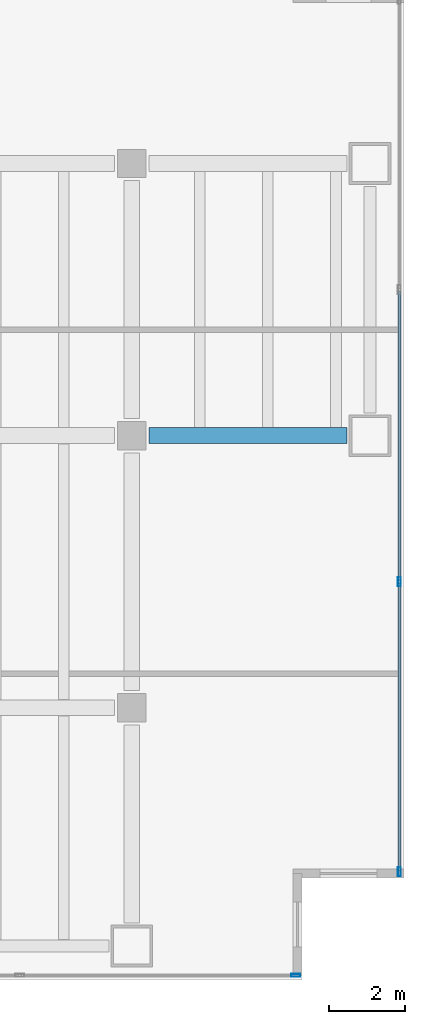
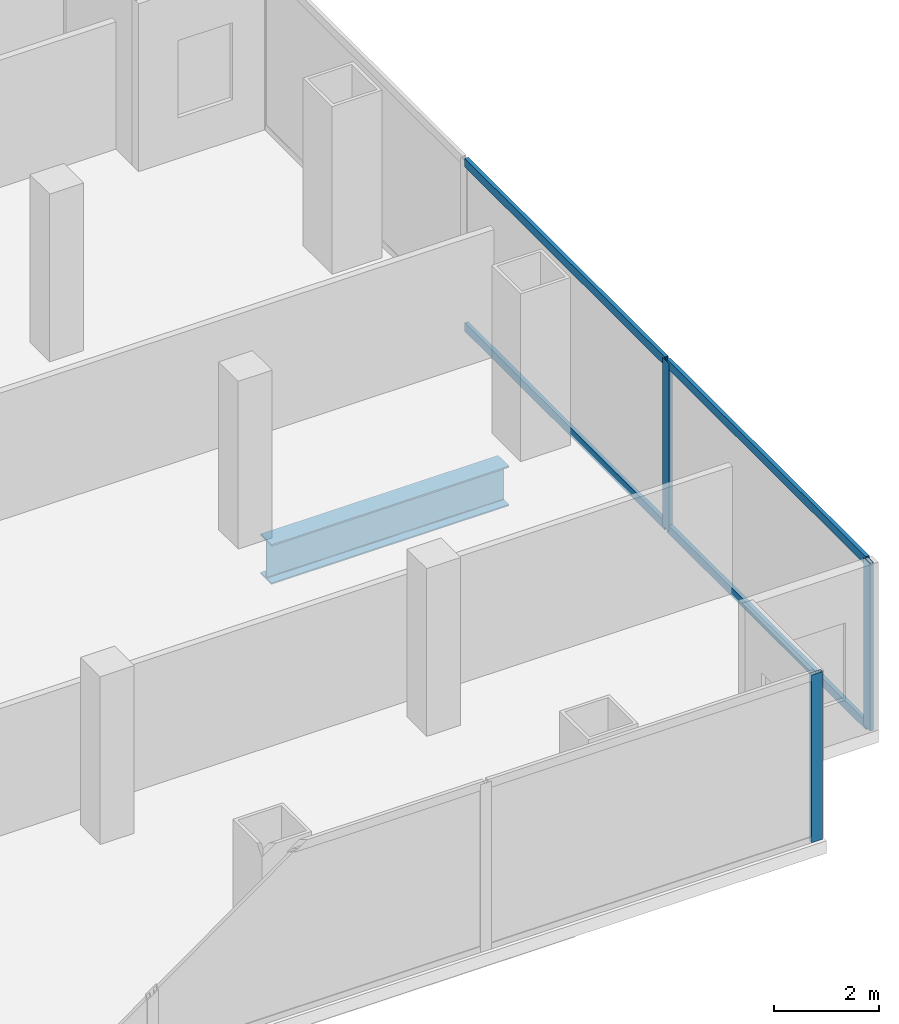
# One storey, part 18 of 28: 7 members, 1 beam, 2 elements without a shape of their own.
"""IFC4 building model written with IfcOpenShell, lengths in metres."""

from ifc_helpers import new_model, si_unit, direction, frame, origin, origin_2d, place, context, subcontext, project, spatial, hollow_rectangle, i_section, extrude, material, material_profile, profile_set, type_object, element, aggregate, save


model = new_model("IFC4")

# Units and contexts
model_context = context("Model", 3, precision=1e-05, world=origin(), true_north=direction((0.0, 1.0)))
body_context = subcontext(model_context, "Body", "Model", "MODEL_VIEW")
ifc_project = project(units=[si_unit("LENGTHUNIT", "METRE"), si_unit("AREAUNIT", "SQUARE_METRE"), si_unit("VOLUMEUNIT", "CUBIC_METRE"), si_unit("PLANEANGLEUNIT", "RADIAN"), si_unit("MASSUNIT", "GRAM", prefix="KILO")], contexts=[model_context])

# Site, building, storey
site_placement = place(None, origin())
site = spatial("IfcSite", under=ifc_project, at=site_placement, CompositionType="ELEMENT")
building_placement = place(site_placement, origin())
building = spatial("IfcBuilding", under=site, at=building_placement, Name="Cobrela Telecom Tower", CompositionType="ELEMENT")
storey_placement = place(building_placement, frame((0.0, 0.0, 17.85009765625)))
storey = spatial("IfcBuildingStorey", under=building, at=storey_placement, Name="L04", CompositionType="ELEMENT", Elevation=17.85009765625)

# Beam
ifc_material_1 = material(Name="Steel ASTM A992 Grade 50", Category="steel")
ifc_material_profile_1 = material_profile(ifc_material_1, i_section(OverallWidth=0.4189453125, OverallDepth=0.927001953125, WebThickness=0.019287109375, FlangeThickness=0.031982421875, FilletRadius=0.02392578125, at=origin_2d()), Name="W36X231")
ifc_profile_set_1 = profile_set([ifc_material_profile_1], Name="Steel ASTM A992 Grade 50")
beam_type = type_object("IfcBeamType", Name="BM-GIRD-02", PredefinedType="USERDEFINED", material=ifc_profile_set_1)
beam_placement = place(storey_placement, frame((79.655029296875, 14.39990234375, -0.753662109375), z_axis=(1.0, 0.0, 0.0), x_axis=(0.0, 1.0, 0.0)))
element("IfcBeam", 1, at=beam_placement, inside=storey, type_object=beam_type, Name="L04 Primary Girder X28", ObjectType="GIRDER", PredefinedType="USERDEFINED", context=body_context, shape_type="SweptSolid", body=[
    extrude(i_section(OverallWidth=0.4189453125, OverallDepth=0.927001953125, WebThickness=0.019287109375, FlangeThickness=0.031982421875, FilletRadius=0.02392578125, at=origin_2d()), origin(), (0.0, 0.0, 1.0), 5.239990234375),
])

# Curtain wall, members
ifc_material_2 = material(Name="Anodized Bronze Aluminium 6063-T6", Category="aluminium")
curtain_wall_type = type_object("IfcCurtainWallType", Name="CW-SYS-CONC", PredefinedType="USERDEFINED", material=ifc_material_2)
curtain_wall_1_placement = place(storey_placement, origin())
curtain_wall_1 = element("IfcCurtainWall", 2, at=curtain_wall_1_placement, inside=storey, type_object=curtain_wall_type, Name="L04 Unitised Bronze Curtain Wall 14", ObjectType="UNITISED CURTAIN WALL", PredefinedType="USERDEFINED")
ifc_material_profile_2 = material_profile(ifc_material_2, hollow_rectangle(XDim=0.080078125, YDim=0.239990234375, WallThickness=0.0048828125, at=origin_2d()), Name="ALU 80x240x5")
ifc_profile_set_2 = profile_set([ifc_material_profile_2], Name="Anodized Bronze Aluminium 6063-T6")
member_type_1 = type_object("IfcMemberType", Name="CW-SYS-CONC-MUL", PredefinedType="MULLION", material=ifc_profile_set_2)
member_1_placement = place(storey_placement, frame((86.280029296875, 10.5400390625, 0.0), z_axis=(0.0, 0.0, 1.0), x_axis=(1.0, 0.0, 0.0)))
member_1 = element("IfcMember", 3, at=member_1_placement, type_object=member_type_1, Name="CW-CONC mullion 3", PredefinedType="MULLION", context=body_context, shape_type="SweptSolid", body=[
    extrude(hollow_rectangle(XDim=0.080078125, YDim=0.239990234375, WallThickness=0.0048828125, at=origin_2d()), origin(), (0.0, 0.0, 1.0), 3.909912109375),
])
member_2_placement = place(storey_placement, frame((86.280029296875, 2.860107421875, 0.0), z_axis=(0.0, 0.0, 1.0), x_axis=(1.0, 0.0, 0.0)))
member_2 = element("IfcMember", 4, at=member_2_placement, type_object=member_type_1, Name="CW-CONC mullion 4", PredefinedType="MULLION", context=body_context, shape_type="SweptSolid", body=[
    extrude(hollow_rectangle(XDim=0.080078125, YDim=0.239990234375, WallThickness=0.0048828125, at=origin_2d()), origin(), (0.0, 0.0, 1.0), 3.909912109375),
])

# Curtain wall, member
curtain_wall_2_placement = place(storey_placement, origin())
curtain_wall_2 = element("IfcCurtainWall", 5, at=curtain_wall_2_placement, inside=storey, type_object=curtain_wall_type, Name="L04 Unitised Bronze Curtain Wall 17", ObjectType="UNITISED CURTAIN WALL", PredefinedType="USERDEFINED")
member_3_placement = place(storey_placement, frame((83.5400390625, 0.1201171875, 0.0), z_axis=(0.0, 0.0, 1.0), x_axis=(0.0, -1.0, 0.0)))
member_3 = element("IfcMember", 6, at=member_3_placement, type_object=member_type_1, Name="CW-CONC mullion 1", PredefinedType="MULLION", context=body_context, shape_type="SweptSolid", body=[
    extrude(hollow_rectangle(XDim=0.080078125, YDim=0.239990234375, WallThickness=0.0048828125, at=origin_2d()), origin(), (0.0, 0.0, 1.0), 3.909912109375),
])
aggregate(curtain_wall_2, [member_3])

# Member
ifc_material_profile_3 = material_profile(ifc_material_2, hollow_rectangle(XDim=0.080078125, YDim=0.199951171875, WallThickness=0.00390625, at=origin_2d()), Name="ALU 80x200x4")
ifc_profile_set_3 = profile_set([ifc_material_profile_3], Name="Anodized Bronze Aluminium 6063-T6")
member_type_2 = type_object("IfcMemberType", Name="CW-SYS-CONC-TRN", PredefinedType="USERDEFINED", material=ifc_profile_set_3)
member_4_placement = place(storey_placement, frame((86.280029296875, 18.219970703125, 0.039794921875), z_axis=(0.0, -1.0, 0.0), x_axis=(1.0, 0.0, 0.0)))
member_4 = element("IfcMember", 7, at=member_4_placement, type_object=member_type_2, Name="CW-CONC transom 2.1", ObjectType="TRANSOM", PredefinedType="USERDEFINED", context=body_context, shape_type="SweptSolid", body=[
    extrude(hollow_rectangle(XDim=0.080078125, YDim=0.199951171875, WallThickness=0.00390625, at=origin_2d()), origin(), (0.0, 0.0, 1.0), 7.639892578125),
])

member_5_placement = place(storey_placement, frame((86.280029296875, 18.219970703125, 3.869873046875), z_axis=(0.0, -1.0, 0.0), x_axis=(1.0, 0.0, 0.0)))
member_5 = element("IfcMember", 8, at=member_5_placement, type_object=member_type_2, Name="CW-CONC transom 2.2", ObjectType="TRANSOM", PredefinedType="USERDEFINED", context=body_context, shape_type="SweptSolid", body=[
    extrude(hollow_rectangle(XDim=0.080078125, YDim=0.199951171875, WallThickness=0.00390625, at=origin_2d()), origin(), (0.0, 0.0, 1.0), 7.639892578125),
])

member_6_placement = place(storey_placement, frame((86.280029296875, 10.5, 0.039794921875), z_axis=(0.0, -1.0, 0.0), x_axis=(1.0, 0.0, 0.0)))
member_6 = element("IfcMember", 9, at=member_6_placement, type_object=member_type_2, Name="CW-CONC transom 3.1", ObjectType="TRANSOM", PredefinedType="USERDEFINED", context=body_context, shape_type="SweptSolid", body=[
    extrude(hollow_rectangle(XDim=0.080078125, YDim=0.199951171875, WallThickness=0.00390625, at=origin_2d()), origin(), (0.0, 0.0, 1.0), 7.60009765625),
])

member_7_placement = place(storey_placement, frame((86.280029296875, 10.5, 3.869873046875), z_axis=(0.0, -1.0, 0.0), x_axis=(1.0, 0.0, 0.0)))
member_7 = element("IfcMember", 10, at=member_7_placement, type_object=member_type_2, Name="CW-CONC transom 3.2", ObjectType="TRANSOM", PredefinedType="USERDEFINED", context=body_context, shape_type="SweptSolid", body=[
    extrude(hollow_rectangle(XDim=0.080078125, YDim=0.199951171875, WallThickness=0.00390625, at=origin_2d()), origin(), (0.0, 0.0, 1.0), 7.60009765625),
])

aggregate(curtain_wall_1, [member_1, member_2, member_4, member_5, member_6, member_7])

save(model, "model.ifc")
